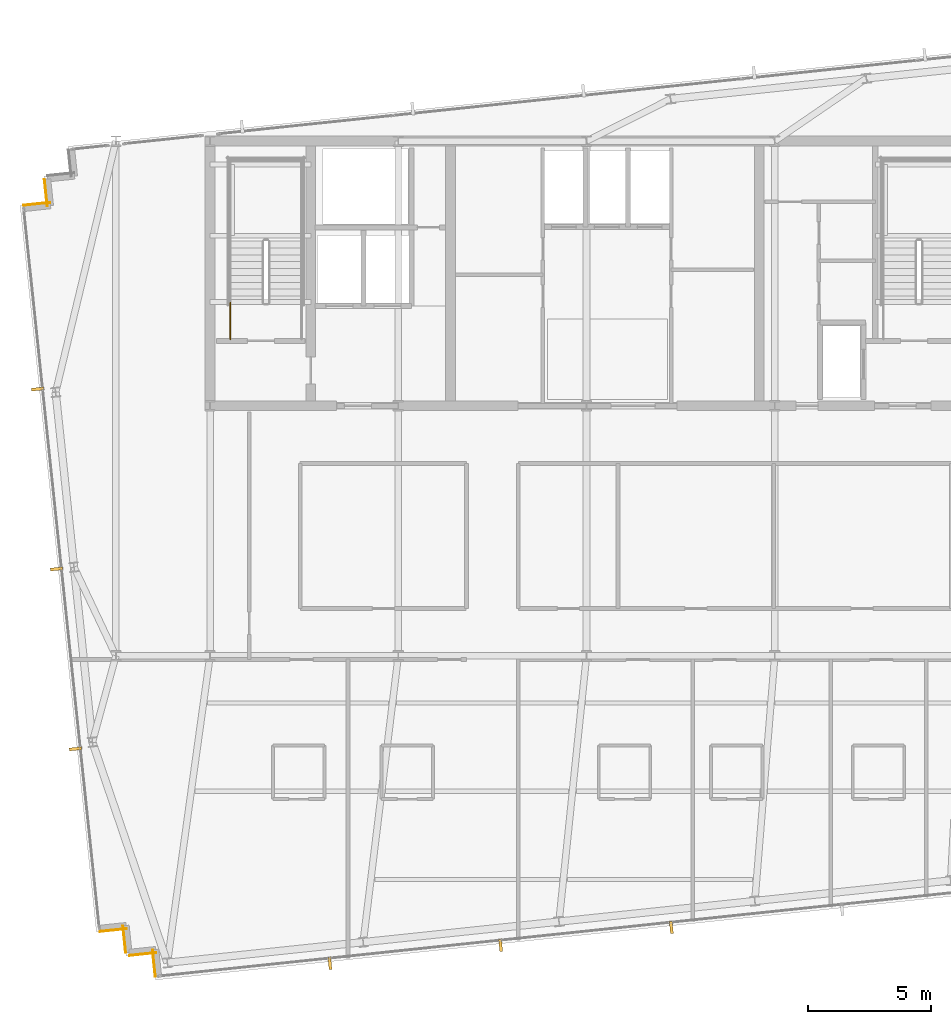
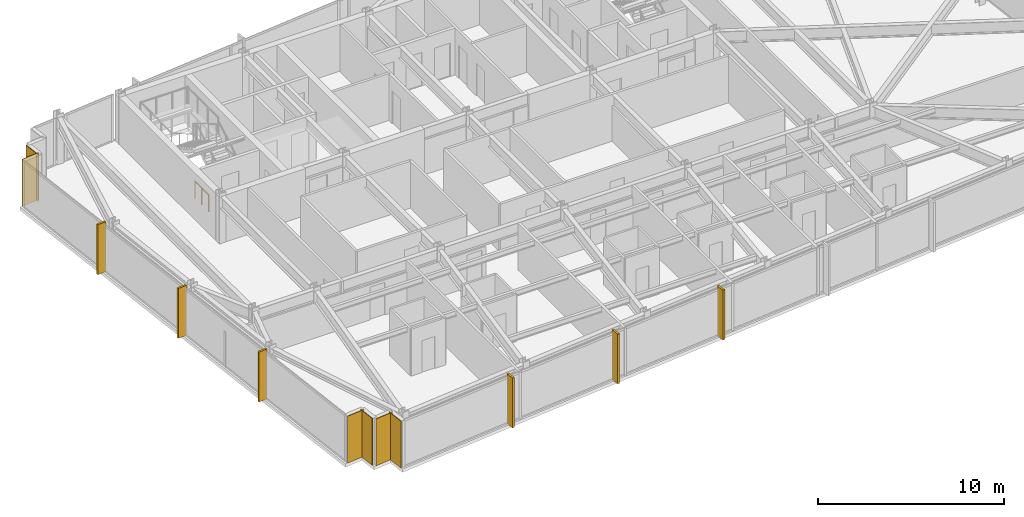
# One storey, part 30 of 33: 6 coverings, 6 shading devices, 1 railing.
"""IFC4 building model written with IfcOpenShell, lengths in metres."""

from ifc_helpers import new_model, si_unit, direction, frame, frame_2d, origin, origin_2d, place, context, subcontext, project, spatial, rectangle, circle, extrude, material, layer, layer_set, type_object, element, save


model = new_model("IFC4")

# Units and contexts
model_context = context("Model", 3, precision=1e-05, world=origin(), true_north=direction((0.0, 1.0)))
body_context = subcontext(model_context, "Body", "Model", "MODEL_VIEW")
ifc_project = project(units=[si_unit("LENGTHUNIT", "METRE"), si_unit("AREAUNIT", "SQUARE_METRE"), si_unit("VOLUMEUNIT", "CUBIC_METRE"), si_unit("PLANEANGLEUNIT", "RADIAN"), si_unit("MASSUNIT", "GRAM", prefix="KILO")], contexts=[model_context])

# Site, building, storey
site_placement = place(None, origin())
site = spatial("IfcSite", under=ifc_project, at=site_placement, CompositionType="ELEMENT")
building_placement = place(site_placement, origin())
building = spatial("IfcBuilding", under=site, at=building_placement, Name="Yelkora Congress Tower", CompositionType="ELEMENT")
storey_placement = place(building_placement, frame((0.0, 0.0, 237.5)))
storey = spatial("IfcBuildingStorey", under=building, at=storey_placement, Name="L66", CompositionType="ELEMENT", Elevation=237.5)

# Coverings
ifc_material_1 = material(Name="Anatolian bush-hammered limestone", Category="masonry")
ifc_layer_1 = layer(ifc_material_1, 0.0400390625)
ifc_layer_set_1 = layer_set([ifc_layer_1], Name="Anatolian bush-hammered limestone")
covering_type = type_object("IfcCoveringType", Name="COV-CLAD-SPANDREL-40", PredefinedType="CLADDING", material=ifc_layer_set_1)
covering_1_placement = place(storey_placement, frame((20.810302734375, 12.114501953125, 0.0), z_axis=(0.0, 0.0, 1.0), x_axis=(-0.104557671117, 0.994518825066, 0.0)))
element("IfcCovering", 1, at=covering_1_placement, inside=storey, type_object=covering_type, Name="L66 Anatolian Limestone Cladding EW-L66-SR01", PredefinedType="CLADDING", context=body_context, shape_type="SweptSolid", body=[
    extrude(rectangle(XDim=1.099853515625, YDim=0.0400390625, at=frame_2d((0.5498046875, 0.0))), origin(), (0.0, 0.0, 1.0), 3.080078125),
])
for number, where, z_axis, x_axis, name in (
    (2, (20.84375, 13.088134765625, 0.0), (0.0, 0.0, 1.0), (-0.994521251134, -0.104534592565, 0.0), "L66 Anatolian Limestone Cladding EW-L66-SR02"),
    (3, (19.601318359375, 13.09326171875, 0.0), (0.0, 0.0, 1.0), (-0.104534592565, 0.994521251134, 0.0), "L66 Anatolian Limestone Cladding EW-L66-SR03"),
    (4, (19.634765625, 14.067138671875, 0.0), (0.0, 0.0, 1.0), (-0.994521251134, -0.104534592565, 0.0), "L66 Anatolian Limestone Cladding EW-L66-SR04"),
):
    element("IfcCovering", number, at=place(storey_placement, frame(where, z_axis=z_axis, x_axis=x_axis)), inside=storey, type_object=covering_type, Name=name, PredefinedType="CLADDING", context=body_context, shape_type="SweptSolid", body=[
        extrude(rectangle(XDim=1.10009765625, YDim=0.0400390625, at=frame_2d((0.550048828125, 0.0))), origin(), (0.0, 0.0, 1.0), 3.080078125),
    ])
covering_2_placement = place(storey_placement, frame((15.427001953125, 43.5791015625, 0.0), z_axis=(0.0, 0.0, 1.0), x_axis=(0.994518825066, 0.104557671117, 0.0)))
element("IfcCovering", 5, at=covering_2_placement, inside=storey, type_object=covering_type, Name="L66 Anatolian Limestone Cladding EW-L66-SR06", PredefinedType="CLADDING", context=body_context, shape_type="SweptSolid", body=[
    extrude(rectangle(XDim=1.099853515625, YDim=0.0400390625, at=frame_2d((0.5498046875, 0.0))), origin(), (0.0, 0.0, 1.0), 3.080078125),
])
covering_3_placement = place(storey_placement, frame((16.400634765625, 43.545654296875, 0.0), z_axis=(0.0, 0.0, 1.0), x_axis=(-0.104315068386, 0.994544300928, 0.0)))
element("IfcCovering", 6, at=covering_3_placement, inside=storey, type_object=covering_type, Name="L66 Anatolian Limestone Cladding EW-L66-SR07", PredefinedType="CLADDING", context=body_context, shape_type="SweptSolid", body=[
    extrude(rectangle(XDim=1.10009765625, YDim=0.0400390625, at=frame_2d((0.550048828125, 0.0))), origin(), (0.0, 0.0, 1.0), 3.080078125),
])

# Railing
ifc_material_2 = material(Name="Painted galvanised steel stair well guard with vertical infill", Category="steel")
ifc_layer_2 = layer(ifc_material_2, 0.06005859375)
ifc_layer_set_2 = layer_set([ifc_layer_2], Name="Painted galvanised steel stair well guard with vertical infill")
railing_type = type_object("IfcRailingType", Name="RAIL-STAIR-GUARD-1120", PredefinedType="GUARDRAIL", material=ifc_layer_set_2)
railing_placement = place(storey_placement, frame((23.8701171875, 38.1201171875, 0.0)))
element("IfcRailing", 7, at=railing_placement, inside=storey, type_object=railing_type, Name="ST-01 L66 Stair Well Guardrail 9", PredefinedType="GUARDRAIL", context=body_context, shape_type="SweptSolid", body=[
    extrude(circle(Radius=0.02392578125, at=origin_2d()), frame((0.0, 0.0, 1.09619140625), z_axis=(0.0, 1.0, 0.0), x_axis=(-1.0, 0.0, 0.0)), (0.0, 0.0, 1.0), 1.47998046875),
    extrude(circle(Radius=0.02099609375, at=origin_2d()), origin(), (0.0, 0.0, 1.0), 1.072021484375),
    extrude(circle(Radius=0.02099609375, at=origin_2d()), frame((0.0, 0.739990234375, 0.0)), (0.0, 0.0, 1.0), 1.072021484375),
    extrude(circle(Radius=0.02099609375, at=origin_2d()), frame((0.0, 1.47998046875, 0.0)), (0.0, 0.0, 1.0), 1.072021484375),
])

# Shading devices
ifc_material_3 = material(Name="Champagne anodised aluminium", Category="aluminium")
ifc_layer_3 = layer(ifc_material_3, 3.300048828125)
ifc_layer_set_3 = layer_set([ifc_layer_3], Name="Champagne anodised aluminium")
shading_device_type = type_object("IfcShadingDeviceType", Name="SHD-FIN-ALU-520", PredefinedType="USERDEFINED", material=ifc_layer_set_3)
for number, where, z_axis, x_axis, name in (
    (8, (17.556396484375, 21.405029296875, -0.02978515625), (0.0, 0.0, 1.0), (-0.104528463268, 0.994521895368, 0.0), "L66 Vertical Anodised Solar Fin 5-1"),
    (9, (16.784912109375, 28.74462890625, -0.02978515625), (0.0, 0.0, 1.0), (-0.104528463268, 0.994521895368, 0.0), "L66 Vertical Anodised Solar Fin 5-2"),
    (10, (16.013671875, 36.084228515625, -0.02978515625), (0.0, 0.0, 1.0), (-0.104528463268, 0.994521895368, 0.0), "L66 Vertical Anodised Solar Fin 5-3"),
    (11, (41.85888671875, 14.12548828125, -0.02978515625), (0.0, 0.0, 1.0), (-0.994521895368, -0.104528463268, 0.0), "L66 Vertical Anodised Solar Fin 20-4"),
    (12, (34.89453125, 13.3935546875, -0.02978515625), (0.0, 0.0, 1.0), (-0.994521895368, -0.104528463268, 0.0), "L66 Vertical Anodised Solar Fin 20-5"),
    (13, (27.929931640625, 12.66162109375, -0.02978515625), (0.0, 0.0, 1.0), (-0.994521895368, -0.104528463268, 0.0), "L66 Vertical Anodised Solar Fin 20-6"),
):
    element("IfcShadingDevice", number, at=place(storey_placement, frame(where, z_axis=z_axis, x_axis=x_axis)), inside=storey, type_object=shading_device_type, Name=name, ObjectType="FIN", PredefinedType="USERDEFINED", context=body_context, shape_type="SweptSolid", body=[
        extrude(rectangle(XDim=0.1201171875, YDim=0.52001953125, at=origin_2d()), origin(), (0.0, 0.0, 1.0), 3.280029296875),
    ])

save(model, "model.ifc")
